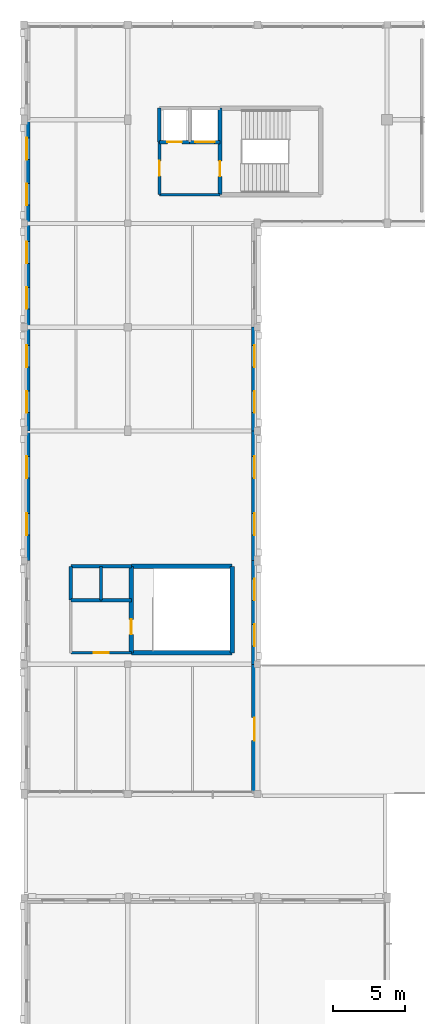
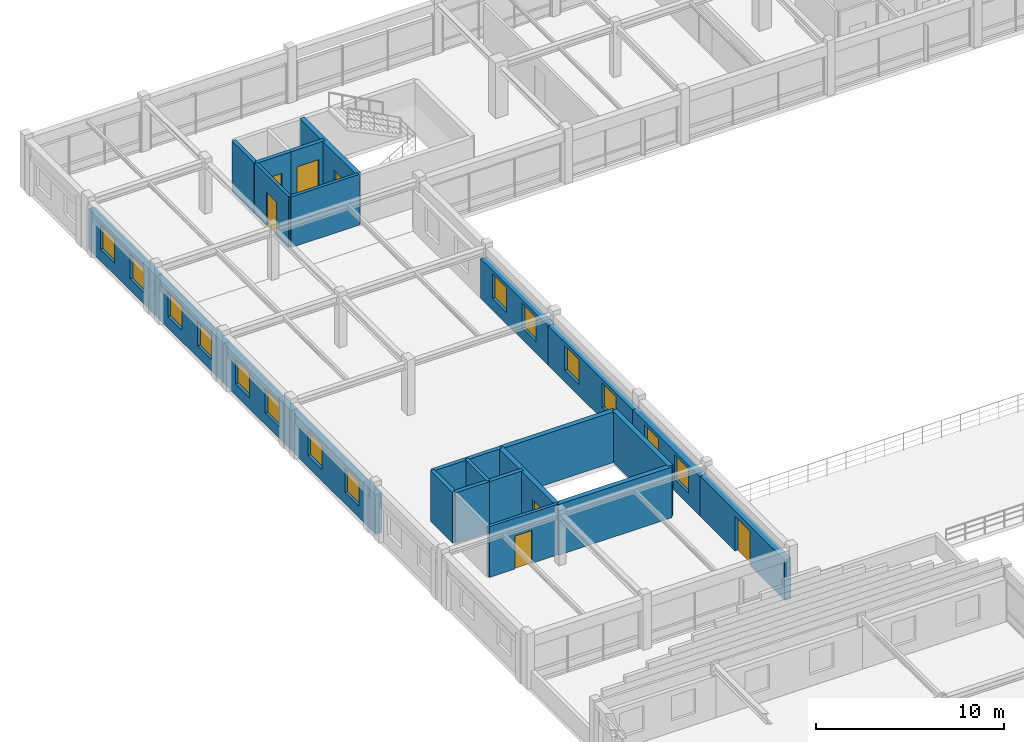
# One storey, part 50 of 74: 24 walls, 14 windows, 7 doors, 21 openings.
"""IFC4 building model written with IfcOpenShell, lengths in metres."""

from ifc_helpers import new_model, si_unit, direction, frame, frame_2d, origin, place, context, subcontext, project, spatial, rectangle, extrude, material, layer, layer_set, type_object, element, fill, save


model = new_model("IFC4")

# Units and contexts
model_context = context("Model", 3, precision=1e-05, world=origin(), true_north=direction((0.0, 1.0)))
body_context = subcontext(model_context, "Body", "Model", "MODEL_VIEW")
ifc_project = project(units=[si_unit("LENGTHUNIT", "METRE"), si_unit("AREAUNIT", "SQUARE_METRE"), si_unit("VOLUMEUNIT", "CUBIC_METRE"), si_unit("PLANEANGLEUNIT", "RADIAN"), si_unit("MASSUNIT", "GRAM", prefix="KILO")], contexts=[model_context])

# Site, building, storey
site_placement = place(None, origin())
site = spatial("IfcSite", under=ifc_project, at=site_placement, CompositionType="ELEMENT")
building_placement = place(site_placement, origin())
building = spatial("IfcBuilding", under=site, at=building_placement, Name="Clarverna Civic Hall", CompositionType="ELEMENT")
storey_placement = place(building_placement, frame((0.0, 0.0, 13.199951171875)))
storey = spatial("IfcBuildingStorey", under=building, at=storey_placement, Name="L03", CompositionType="ELEMENT", Elevation=13.199951171875)

# Wall, openings, windows
ifc_material_1 = material(Name="Montjuic Limestone Ashlar Cladding", Category="masonry")
ifc_layer_1 = layer(ifc_material_1, 0.39990234375)
ifc_layer_set_1 = layer_set([ifc_layer_1], Name="Montjuic Limestone Ashlar Cladding")
wall_type_1 = type_object("IfcWallType", Name="EW-02", PredefinedType="SOLIDWALL", material=ifc_layer_set_1)
wall_1_placement = place(storey_placement, frame((16.0, 95.0, 0.0), z_axis=(0.0, 0.0, 1.0), x_axis=(0.0, -1.0, 0.0)))
wall_1 = element("IfcWall", 1, at=wall_1_placement, inside=storey, type_object=wall_type_1, Name="EW-02-181", PredefinedType="SOLIDWALL", context=body_context, shape_type="SweptSolid", body=[
    extrude(rectangle(XDim=7.199951171875, YDim=0.39990234375, at=frame_2d((3.60009765625, 0.0))), origin(), (0.0, 0.0, 1.0), 2.580078125),
])
opening_1_placement = place(wall_1_placement, frame((1.26611328125, 0.0, 0.75)))
opening_1 = element("IfcOpeningElement", 2, at=opening_1_placement, cuts=wall_1, Name="Opening WN-14", PredefinedType="OPENING", context=body_context, shape_type="SweptSolid", body=[
    extrude(rectangle(XDim=1.5, YDim=1.60009765625, at=frame_2d((0.75, 0.800048828125))), frame((0.0, 0.2099609375, 0.0), z_axis=(0.0, -1.0, 0.0), x_axis=(1.0, 0.0, 0.0)), (0.0, 0.0, 1.0), 0.419921875),
])
opening_2_placement = place(wall_1_placement, frame((4.43408203125, 0.0, 0.75)))
opening_2 = element("IfcOpeningElement", 3, at=opening_2_placement, cuts=wall_1, Name="Opening WN-14", PredefinedType="OPENING", context=body_context, shape_type="SweptSolid", body=[
    extrude(rectangle(XDim=1.5, YDim=1.60009765625, at=frame_2d((0.75, 0.800048828125))), frame((0.0, 0.2099609375, 0.0), z_axis=(0.0, -1.0, 0.0), x_axis=(1.0, 0.0, 0.0)), (0.0, 0.0, 1.0), 0.419921875),
])
ifc_material_2 = material(Name="Solar-Control Argon Low-E Double Glazing", Category="glass")
window_type = type_object("IfcWindowType", Name="WN-14", PartitioningType="DOUBLE_PANEL_HORIZONTAL", PredefinedType="WINDOW", material=ifc_material_2)
window_1_placement = place(opening_1_placement, origin())
window_1 = element("IfcWindow", 4, at=window_1_placement, inside=storey, type_object=window_type, Name="WN-14-162", OverallHeight=1.60009765625, OverallWidth=1.5, PartitioningType="DOUBLE_PANEL_HORIZONTAL", PredefinedType="WINDOW", context=body_context, shape_type="SweptSolid", body=[
    extrude(rectangle(XDim=1.5, YDim=1.60009765625, at=frame_2d((0.75, 0.800048828125))), frame((0.0, 0.030029296875, 0.0), z_axis=(0.0, -1.0, 0.0), x_axis=(1.0, 0.0, 0.0)), (0.0, 0.0, 1.0), 0.06005859375),
])
fill(opening_1, window_1)
window_2_placement = place(opening_2_placement, origin())
window_2 = element("IfcWindow", 5, at=window_2_placement, inside=storey, type_object=window_type, Name="WN-14-163", OverallHeight=1.60009765625, OverallWidth=1.5, PartitioningType="DOUBLE_PANEL_HORIZONTAL", PredefinedType="WINDOW", context=body_context, shape_type="SweptSolid", body=[
    extrude(rectangle(XDim=1.5, YDim=1.60009765625, at=frame_2d((0.75, 0.800048828125))), frame((0.0, 0.030029296875, 0.0), z_axis=(0.0, -1.0, 0.0), x_axis=(1.0, 0.0, 0.0)), (0.0, 0.0, 1.0), 0.06005859375),
])
fill(opening_2, window_2)

wall_2_placement = place(storey_placement, frame((16.0, 87.800048828125, 0.0), z_axis=(0.0, 0.0, 1.0), x_axis=(0.0, -1.0, 0.0)))
wall_2 = element("IfcWall", 6, at=wall_2_placement, inside=storey, type_object=wall_type_1, Name="EW-02-182", PredefinedType="SOLIDWALL", context=body_context, shape_type="SweptSolid", body=[
    extrude(rectangle(XDim=9.0, YDim=0.39990234375, at=frame_2d((4.5, 0.0))), origin(), (0.0, 0.0, 1.0), 2.580078125),
])
opening_3_placement = place(wall_2_placement, frame((1.77001953125, 0.0, 0.75)))
opening_3 = element("IfcOpeningElement", 7, at=opening_3_placement, cuts=wall_2, Name="Opening WN-14", PredefinedType="OPENING", context=body_context, shape_type="SweptSolid", body=[
    extrude(rectangle(XDim=1.5, YDim=1.60009765625, at=frame_2d((0.75, 0.800048828125))), frame((0.0, 0.2099609375, 0.0), z_axis=(0.0, -1.0, 0.0), x_axis=(1.0, 0.0, 0.0)), (0.0, 0.0, 1.0), 0.419921875),
])
opening_4_placement = place(wall_2_placement, frame((5.72998046875, 0.0, 0.75)))
opening_4 = element("IfcOpeningElement", 8, at=opening_4_placement, cuts=wall_2, Name="Opening WN-14", PredefinedType="OPENING", context=body_context, shape_type="SweptSolid", body=[
    extrude(rectangle(XDim=1.5, YDim=1.60009765625, at=frame_2d((0.75, 0.800048828125))), frame((0.0, 0.2099609375, 0.0), z_axis=(0.0, -1.0, 0.0), x_axis=(1.0, 0.0, 0.0)), (0.0, 0.0, 1.0), 0.419921875),
])
window_3_placement = place(opening_3_placement, origin())
window_3 = element("IfcWindow", 9, at=window_3_placement, inside=storey, type_object=window_type, Name="WN-14-164", OverallHeight=1.60009765625, OverallWidth=1.5, PartitioningType="DOUBLE_PANEL_HORIZONTAL", PredefinedType="WINDOW", context=body_context, shape_type="SweptSolid", body=[
    extrude(rectangle(XDim=1.5, YDim=1.60009765625, at=frame_2d((0.75, 0.800048828125))), frame((0.0, 0.030029296875, 0.0), z_axis=(0.0, -1.0, 0.0), x_axis=(1.0, 0.0, 0.0)), (0.0, 0.0, 1.0), 0.06005859375),
])
fill(opening_3, window_3)
window_4_placement = place(opening_4_placement, origin())
window_4 = element("IfcWindow", 10, at=window_4_placement, inside=storey, type_object=window_type, Name="WN-14-165", OverallHeight=1.60009765625, OverallWidth=1.5, PartitioningType="DOUBLE_PANEL_HORIZONTAL", PredefinedType="WINDOW", context=body_context, shape_type="SweptSolid", body=[
    extrude(rectangle(XDim=1.5, YDim=1.60009765625, at=frame_2d((0.75, 0.800048828125))), frame((0.0, 0.030029296875, 0.0), z_axis=(0.0, -1.0, 0.0), x_axis=(1.0, 0.0, 0.0)), (0.0, 0.0, 1.0), 0.06005859375),
])
fill(opening_4, window_4)

wall_3_placement = place(storey_placement, frame((16.0, 78.800048828125, 0.0), z_axis=(0.0, 0.0, 1.0), x_axis=(0.0, -1.0, 0.0)))
wall_3 = element("IfcWall", 11, at=wall_3_placement, inside=storey, type_object=wall_type_1, Name="EW-02-183", PredefinedType="SOLIDWALL", context=body_context, shape_type="SweptSolid", body=[
    extrude(rectangle(XDim=7.199951171875, YDim=0.39990234375, at=frame_2d((3.60009765625, 0.0))), origin(), (0.0, 0.0, 1.0), 2.580078125),
])
opening_5_placement = place(wall_3_placement, frame((1.26611328125, 0.0, 0.75)))
opening_5 = element("IfcOpeningElement", 12, at=opening_5_placement, cuts=wall_3, Name="Opening WN-14", PredefinedType="OPENING", context=body_context, shape_type="SweptSolid", body=[
    extrude(rectangle(XDim=1.5, YDim=1.60009765625, at=frame_2d((0.75, 0.800048828125))), frame((0.0, 0.2099609375, 0.0), z_axis=(0.0, -1.0, 0.0), x_axis=(1.0, 0.0, 0.0)), (0.0, 0.0, 1.0), 0.419921875),
])
opening_6_placement = place(wall_3_placement, frame((4.43408203125, 0.0, 0.75)))
opening_6 = element("IfcOpeningElement", 13, at=opening_6_placement, cuts=wall_3, Name="Opening WN-14", PredefinedType="OPENING", context=body_context, shape_type="SweptSolid", body=[
    extrude(rectangle(XDim=1.5, YDim=1.60009765625, at=frame_2d((0.75, 0.800048828125))), frame((0.0, 0.2099609375, 0.0), z_axis=(0.0, -1.0, 0.0), x_axis=(1.0, 0.0, 0.0)), (0.0, 0.0, 1.0), 0.419921875),
])
window_5_placement = place(opening_5_placement, origin())
window_5 = element("IfcWindow", 14, at=window_5_placement, inside=storey, type_object=window_type, Name="WN-14-166", OverallHeight=1.60009765625, OverallWidth=1.5, PartitioningType="DOUBLE_PANEL_HORIZONTAL", PredefinedType="WINDOW", context=body_context, shape_type="SweptSolid", body=[
    extrude(rectangle(XDim=1.5, YDim=1.60009765625, at=frame_2d((0.75, 0.800048828125))), frame((0.0, 0.030029296875, 0.0), z_axis=(0.0, -1.0, 0.0), x_axis=(1.0, 0.0, 0.0)), (0.0, 0.0, 1.0), 0.06005859375),
])
fill(opening_5, window_5)
window_6_placement = place(opening_6_placement, origin())
window_6 = element("IfcWindow", 15, at=window_6_placement, inside=storey, type_object=window_type, Name="WN-14-167", OverallHeight=1.60009765625, OverallWidth=1.5, PartitioningType="DOUBLE_PANEL_HORIZONTAL", PredefinedType="WINDOW", context=body_context, shape_type="SweptSolid", body=[
    extrude(rectangle(XDim=1.5, YDim=1.60009765625, at=frame_2d((0.75, 0.800048828125))), frame((0.0, 0.030029296875, 0.0), z_axis=(0.0, -1.0, 0.0), x_axis=(1.0, 0.0, 0.0)), (0.0, 0.0, 1.0), 0.06005859375),
])
fill(opening_6, window_6)

# Wall, opening, door
wall_4_placement = place(storey_placement, frame((16.0, 71.60009765625, 0.0), z_axis=(0.0, 0.0, 1.0), x_axis=(0.0, -1.0, 0.0)))
wall_4 = element("IfcWall", 16, at=wall_4_placement, inside=storey, type_object=wall_type_1, Name="EW-02-184", PredefinedType="SOLIDWALL", context=body_context, shape_type="SweptSolid", body=[
    extrude(rectangle(XDim=9.0, YDim=0.39990234375, at=frame_2d((4.5, 0.0))), origin(), (0.0, 0.0, 1.0), 2.6201171875),
])
opening_7_placement = place(wall_4_placement, frame((3.699951171875, 0.0, 0.0)))
opening_7 = element("IfcOpeningElement", 17, at=opening_7_placement, cuts=wall_4, Name="Opening ED-04", PredefinedType="OPENING", context=body_context, shape_type="SweptSolid", body=[
    extrude(rectangle(XDim=1.60009765625, YDim=2.25, at=frame_2d((0.800048828125, 1.125))), frame((0.0, 0.2099609375, 0.0), z_axis=(0.0, -1.0, 0.0), x_axis=(1.0, 0.0, 0.0)), (0.0, 0.0, 1.0), 0.419921875),
])
ifc_material_3 = material(Name="Anodised Bronze Glazed Door")
door_type_1 = type_object("IfcDoorType", Name="ED-04", OperationType="DOUBLE_DOOR_SINGLE_SWING", PredefinedType="DOOR", material=ifc_material_3)
door_1_placement = place(opening_7_placement, origin())
door_1 = element("IfcDoor", 18, at=door_1_placement, inside=storey, type_object=door_type_1, Name="ED-04-035", OperationType="DOUBLE_DOOR_SINGLE_SWING", OverallHeight=2.25, OverallWidth=1.60009765625, PredefinedType="DOOR", context=body_context, shape_type="SweptSolid", body=[
    extrude(rectangle(XDim=1.60009765625, YDim=2.25, at=frame_2d((0.800048828125, 1.125))), frame((0.0, 0.02490234375, 0.0), z_axis=(0.0, -1.0, 0.0), x_axis=(1.0, 0.0, 0.0)), (0.0, 0.0, 1.0), 0.050048828125),
])
fill(opening_7, door_1)

# Wall, openings, windows
wall_5_placement = place(storey_placement, frame((0.199951171875, 78.800048828125, 0.0), z_axis=(0.0, 0.0, 1.0), x_axis=(0.0, 1.0, 0.0)))
wall_5 = element("IfcWall", 19, at=wall_5_placement, inside=storey, type_object=wall_type_1, Name="EW-02-187", PredefinedType="SOLIDWALL", context=body_context, shape_type="SweptSolid", body=[
    extrude(rectangle(XDim=9.0, YDim=0.39990234375, at=frame_2d((4.5, 0.0))), origin(), (0.0, 0.0, 1.0), 2.580078125),
])
opening_8_placement = place(wall_5_placement, frame((1.77001953125, 0.0, 0.75)))
opening_8 = element("IfcOpeningElement", 20, at=opening_8_placement, cuts=wall_5, Name="Opening WN-14", PredefinedType="OPENING", context=body_context, shape_type="SweptSolid", body=[
    extrude(rectangle(XDim=1.5, YDim=1.60009765625, at=frame_2d((0.75, 0.800048828125))), frame((0.0, 0.2099609375, 0.0), z_axis=(0.0, -1.0, 0.0), x_axis=(1.0, 0.0, 0.0)), (0.0, 0.0, 1.0), 0.419921875),
])
opening_9_placement = place(wall_5_placement, frame((5.72998046875, 0.0, 0.75)))
opening_9 = element("IfcOpeningElement", 21, at=opening_9_placement, cuts=wall_5, Name="Opening WN-14", PredefinedType="OPENING", context=body_context, shape_type="SweptSolid", body=[
    extrude(rectangle(XDim=1.5, YDim=1.60009765625, at=frame_2d((0.75, 0.800048828125))), frame((0.0, 0.2099609375, 0.0), z_axis=(0.0, -1.0, 0.0), x_axis=(1.0, 0.0, 0.0)), (0.0, 0.0, 1.0), 0.419921875),
])
window_7_placement = place(opening_8_placement, origin())
window_7 = element("IfcWindow", 22, at=window_7_placement, inside=storey, type_object=window_type, Name="WN-14-172", OverallHeight=1.60009765625, OverallWidth=1.5, PartitioningType="DOUBLE_PANEL_HORIZONTAL", PredefinedType="WINDOW", context=body_context, shape_type="SweptSolid", body=[
    extrude(rectangle(XDim=1.5, YDim=1.60009765625, at=frame_2d((0.75, 0.800048828125))), frame((0.0, 0.030029296875, 0.0), z_axis=(0.0, -1.0, 0.0), x_axis=(1.0, 0.0, 0.0)), (0.0, 0.0, 1.0), 0.06005859375),
])
fill(opening_8, window_7)
window_8_placement = place(opening_9_placement, origin())
window_8 = element("IfcWindow", 23, at=window_8_placement, inside=storey, type_object=window_type, Name="WN-14-173", OverallHeight=1.60009765625, OverallWidth=1.5, PartitioningType="DOUBLE_PANEL_HORIZONTAL", PredefinedType="WINDOW", context=body_context, shape_type="SweptSolid", body=[
    extrude(rectangle(XDim=1.5, YDim=1.60009765625, at=frame_2d((0.75, 0.800048828125))), frame((0.0, 0.030029296875, 0.0), z_axis=(0.0, -1.0, 0.0), x_axis=(1.0, 0.0, 0.0)), (0.0, 0.0, 1.0), 0.06005859375),
])
fill(opening_9, window_8)

wall_6_placement = place(storey_placement, frame((0.199951171875, 87.800048828125, 0.0), z_axis=(0.0, 0.0, 1.0), x_axis=(0.0, 1.0, 0.0)))
wall_6 = element("IfcWall", 24, at=wall_6_placement, inside=storey, type_object=wall_type_1, Name="EW-02-188", PredefinedType="SOLIDWALL", context=body_context, shape_type="SweptSolid", body=[
    extrude(rectangle(XDim=7.199951171875, YDim=0.39990234375, at=frame_2d((3.60009765625, 0.0))), origin(), (0.0, 0.0, 1.0), 2.580078125),
])
opening_10_placement = place(wall_6_placement, frame((1.26611328125, 0.0, 0.75)))
opening_10 = element("IfcOpeningElement", 25, at=opening_10_placement, cuts=wall_6, Name="Opening WN-14", PredefinedType="OPENING", context=body_context, shape_type="SweptSolid", body=[
    extrude(rectangle(XDim=1.5, YDim=1.60009765625, at=frame_2d((0.75, 0.800048828125))), frame((0.0, 0.2099609375, 0.0), z_axis=(0.0, -1.0, 0.0), x_axis=(1.0, 0.0, 0.0)), (0.0, 0.0, 1.0), 0.419921875),
])
opening_11_placement = place(wall_6_placement, frame((4.43408203125, 0.0, 0.75)))
opening_11 = element("IfcOpeningElement", 26, at=opening_11_placement, cuts=wall_6, Name="Opening WN-14", PredefinedType="OPENING", context=body_context, shape_type="SweptSolid", body=[
    extrude(rectangle(XDim=1.5, YDim=1.60009765625, at=frame_2d((0.75, 0.800048828125))), frame((0.0, 0.2099609375, 0.0), z_axis=(0.0, -1.0, 0.0), x_axis=(1.0, 0.0, 0.0)), (0.0, 0.0, 1.0), 0.419921875),
])
window_9_placement = place(opening_10_placement, origin())
window_9 = element("IfcWindow", 27, at=window_9_placement, inside=storey, type_object=window_type, Name="WN-14-174", OverallHeight=1.60009765625, OverallWidth=1.5, PartitioningType="DOUBLE_PANEL_HORIZONTAL", PredefinedType="WINDOW", context=body_context, shape_type="SweptSolid", body=[
    extrude(rectangle(XDim=1.5, YDim=1.60009765625, at=frame_2d((0.75, 0.800048828125))), frame((0.0, 0.030029296875, 0.0), z_axis=(0.0, -1.0, 0.0), x_axis=(1.0, 0.0, 0.0)), (0.0, 0.0, 1.0), 0.06005859375),
])
fill(opening_10, window_9)
window_10_placement = place(opening_11_placement, origin())
window_10 = element("IfcWindow", 28, at=window_10_placement, inside=storey, type_object=window_type, Name="WN-14-175", OverallHeight=1.60009765625, OverallWidth=1.5, PartitioningType="DOUBLE_PANEL_HORIZONTAL", PredefinedType="WINDOW", context=body_context, shape_type="SweptSolid", body=[
    extrude(rectangle(XDim=1.5, YDim=1.60009765625, at=frame_2d((0.75, 0.800048828125))), frame((0.0, 0.030029296875, 0.0), z_axis=(0.0, -1.0, 0.0), x_axis=(1.0, 0.0, 0.0)), (0.0, 0.0, 1.0), 0.06005859375),
])
fill(opening_11, window_10)

wall_7_placement = place(storey_placement, frame((0.199951171875, 95.0, 0.0), z_axis=(0.0, 0.0, 1.0), x_axis=(0.0, 1.0, 0.0)))
wall_7 = element("IfcWall", 29, at=wall_7_placement, inside=storey, type_object=wall_type_1, Name="EW-02-189", PredefinedType="SOLIDWALL", context=body_context, shape_type="SweptSolid", body=[
    extrude(rectangle(XDim=7.199951171875, YDim=0.39990234375, at=frame_2d((3.60009765625, 0.0))), origin(), (0.0, 0.0, 1.0), 2.580078125),
])
opening_12_placement = place(wall_7_placement, frame((1.26611328125, 0.0, 0.75)))
opening_12 = element("IfcOpeningElement", 30, at=opening_12_placement, cuts=wall_7, Name="Opening WN-14", PredefinedType="OPENING", context=body_context, shape_type="SweptSolid", body=[
    extrude(rectangle(XDim=1.5, YDim=1.60009765625, at=frame_2d((0.75, 0.800048828125))), frame((0.0, 0.2099609375, 0.0), z_axis=(0.0, -1.0, 0.0), x_axis=(1.0, 0.0, 0.0)), (0.0, 0.0, 1.0), 0.419921875),
])
opening_13_placement = place(wall_7_placement, frame((4.43408203125, 0.0, 0.75)))
opening_13 = element("IfcOpeningElement", 31, at=opening_13_placement, cuts=wall_7, Name="Opening WN-14", PredefinedType="OPENING", context=body_context, shape_type="SweptSolid", body=[
    extrude(rectangle(XDim=1.5, YDim=1.60009765625, at=frame_2d((0.75, 0.800048828125))), frame((0.0, 0.2099609375, 0.0), z_axis=(0.0, -1.0, 0.0), x_axis=(1.0, 0.0, 0.0)), (0.0, 0.0, 1.0), 0.419921875),
])
window_11_placement = place(opening_12_placement, origin())
window_11 = element("IfcWindow", 32, at=window_11_placement, inside=storey, type_object=window_type, Name="WN-14-176", OverallHeight=1.60009765625, OverallWidth=1.5, PartitioningType="DOUBLE_PANEL_HORIZONTAL", PredefinedType="WINDOW", context=body_context, shape_type="SweptSolid", body=[
    extrude(rectangle(XDim=1.5, YDim=1.60009765625, at=frame_2d((0.75, 0.800048828125))), frame((0.0, 0.030029296875, 0.0), z_axis=(0.0, -1.0, 0.0), x_axis=(1.0, 0.0, 0.0)), (0.0, 0.0, 1.0), 0.06005859375),
])
fill(opening_12, window_11)
window_12_placement = place(opening_13_placement, origin())
window_12 = element("IfcWindow", 33, at=window_12_placement, inside=storey, type_object=window_type, Name="WN-14-177", OverallHeight=1.60009765625, OverallWidth=1.5, PartitioningType="DOUBLE_PANEL_HORIZONTAL", PredefinedType="WINDOW", context=body_context, shape_type="SweptSolid", body=[
    extrude(rectangle(XDim=1.5, YDim=1.60009765625, at=frame_2d((0.75, 0.800048828125))), frame((0.0, 0.030029296875, 0.0), z_axis=(0.0, -1.0, 0.0), x_axis=(1.0, 0.0, 0.0)), (0.0, 0.0, 1.0), 0.06005859375),
])
fill(opening_13, window_12)

wall_8_placement = place(storey_placement, frame((0.199951171875, 102.199951171875, 0.0), z_axis=(0.0, 0.0, 1.0), x_axis=(0.0, 1.0, 0.0)))
wall_8 = element("IfcWall", 34, at=wall_8_placement, inside=storey, type_object=wall_type_1, Name="EW-02-190", PredefinedType="SOLIDWALL", context=body_context, shape_type="SweptSolid", body=[
    extrude(rectangle(XDim=7.199951171875, YDim=0.39990234375, at=frame_2d((3.60009765625, 0.0))), origin(), (0.0, 0.0, 1.0), 2.6201171875),
])
opening_14_placement = place(wall_8_placement, frame((1.26611328125, 0.0, 0.75)))
opening_14 = element("IfcOpeningElement", 35, at=opening_14_placement, cuts=wall_8, Name="Opening WN-14", PredefinedType="OPENING", context=body_context, shape_type="SweptSolid", body=[
    extrude(rectangle(XDim=1.5, YDim=1.60009765625, at=frame_2d((0.75, 0.800048828125))), frame((0.0, 0.2099609375, 0.0), z_axis=(0.0, -1.0, 0.0), x_axis=(1.0, 0.0, 0.0)), (0.0, 0.0, 1.0), 0.419921875),
])
opening_15_placement = place(wall_8_placement, frame((4.43408203125, 0.0, 0.75)))
opening_15 = element("IfcOpeningElement", 36, at=opening_15_placement, cuts=wall_8, Name="Opening WN-14", PredefinedType="OPENING", context=body_context, shape_type="SweptSolid", body=[
    extrude(rectangle(XDim=1.5, YDim=1.60009765625, at=frame_2d((0.75, 0.800048828125))), frame((0.0, 0.2099609375, 0.0), z_axis=(0.0, -1.0, 0.0), x_axis=(1.0, 0.0, 0.0)), (0.0, 0.0, 1.0), 0.419921875),
])
window_13_placement = place(opening_14_placement, origin())
window_13 = element("IfcWindow", 37, at=window_13_placement, inside=storey, type_object=window_type, Name="WN-14-178", OverallHeight=1.60009765625, OverallWidth=1.5, PartitioningType="DOUBLE_PANEL_HORIZONTAL", PredefinedType="WINDOW", context=body_context, shape_type="SweptSolid", body=[
    extrude(rectangle(XDim=1.5, YDim=1.60009765625, at=frame_2d((0.75, 0.800048828125))), frame((0.0, 0.030029296875, 0.0), z_axis=(0.0, -1.0, 0.0), x_axis=(1.0, 0.0, 0.0)), (0.0, 0.0, 1.0), 0.06005859375),
])
fill(opening_14, window_13)
window_14_placement = place(opening_15_placement, origin())
window_14 = element("IfcWindow", 38, at=window_14_placement, inside=storey, type_object=window_type, Name="WN-14-179", OverallHeight=1.60009765625, OverallWidth=1.5, PartitioningType="DOUBLE_PANEL_HORIZONTAL", PredefinedType="WINDOW", context=body_context, shape_type="SweptSolid", body=[
    extrude(rectangle(XDim=1.5, YDim=1.60009765625, at=frame_2d((0.75, 0.800048828125))), frame((0.0, 0.030029296875, 0.0), z_axis=(0.0, -1.0, 0.0), x_axis=(1.0, 0.0, 0.0)), (0.0, 0.0, 1.0), 0.06005859375),
])
fill(opening_15, window_14)

# Wall, opening, door
ifc_material_4 = material(Name="Acoustic Gypsum Plasterboard on Twin Frame", Category="gypsum")
ifc_layer_2 = layer(ifc_material_4, 0.18994140625)
ifc_layer_set_2 = layer_set([ifc_layer_2], Name="Acoustic Gypsum Plasterboard on Twin Frame")
wall_type_2 = type_object("IfcWallType", Name="PW-06", PredefinedType="PARTITIONING", material=ifc_layer_set_2)
wall_9_placement = place(storey_placement, frame((9.39990234375, 104.199951171875, 0.0), z_axis=(0.0, 0.0, 1.0), x_axis=(0.0, 1.0, 0.0)))
wall_9 = element("IfcWall", 39, at=wall_9_placement, inside=storey, type_object=wall_type_2, Name="PW-06-065", PredefinedType="PARTITIONING", context=body_context, shape_type="SweptSolid", body=[
    extrude(rectangle(XDim=3.650146484375, YDim=0.18994140625, at=frame_2d((1.8251953125, 0.0))), origin(), (0.0, 0.0, 1.0), 3.300048828125),
])
opening_16_placement = place(wall_9_placement, frame((1.300048828125, 0.0, 0.0)))
opening_16 = element("IfcOpeningElement", 40, at=opening_16_placement, cuts=wall_9, Name="Opening FD-02", PredefinedType="OPENING", context=body_context, shape_type="SweptSolid", body=[
    extrude(rectangle(XDim=1.050048828125, YDim=2.14990234375, at=frame_2d((0.52490234375, 1.074951171875))), frame((0.0, 0.10498046875, 0.0), z_axis=(0.0, -1.0, 0.0), x_axis=(1.0, 0.0, 0.0)), (0.0, 0.0, 1.0), 0.2099609375),
])
ifc_material_5 = material(Name="Acoustic Timber-Faced Fire Door", Category="wood")
door_type_2 = type_object("IfcDoorType", Name="FD-02", OperationType="NOTDEFINED", PredefinedType="DOOR", material=ifc_material_5)
door_2_placement = place(opening_16_placement, origin())
door_2 = element("IfcDoor", 41, at=door_2_placement, inside=storey, type_object=door_type_2, Name="FD-02-061", OperationType="SINGLE_SWING_RIGHT", OverallHeight=2.14990234375, OverallWidth=1.050048828125, PredefinedType="DOOR", context=body_context, shape_type="SweptSolid", body=[
    extrude(rectangle(XDim=1.050048828125, YDim=2.14990234375, at=frame_2d((0.52490234375, 1.074951171875))), frame((0.0, 0.02490234375, 0.0), z_axis=(0.0, -1.0, 0.0), x_axis=(1.0, 0.0, 0.0)), (0.0, 0.0, 1.0), 0.050048828125),
])
fill(opening_16, door_2)

# Wall
wall_10_placement = place(storey_placement, frame((9.39990234375, 104.199951171875, 0.0), z_axis=(0.0, 0.0, 1.0), x_axis=(1.0, 0.0, 0.0)))
element("IfcWall", 42, at=wall_10_placement, inside=storey, type_object=wall_type_2, Name="PW-06-066", PredefinedType="PARTITIONING", context=body_context, shape_type="SweptSolid", body=[
    extrude(rectangle(XDim=4.2001953125, YDim=0.18994140625, at=frame_2d((2.10009765625, 0.0))), origin(), (0.0, 0.0, 1.0), 3.300048828125),
])

# Wall, opening, door
wall_11_placement = place(storey_placement, frame((3.25, 72.39990234375, 0.0), z_axis=(0.0, 0.0, 1.0), x_axis=(1.0, 0.0, 0.0)))
wall_11 = element("IfcWall", 43, at=wall_11_placement, inside=storey, type_object=wall_type_2, Name="PW-06-124", PredefinedType="PARTITIONING", context=body_context, shape_type="SweptSolid", body=[
    extrude(rectangle(XDim=4.199951171875, YDim=0.18994140625, at=frame_2d((2.10009765625, 0.0))), origin(), (0.0, 0.0, 1.0), 3.300048828125),
])
opening_17_placement = place(wall_11_placement, frame((1.574951171875, 0.0, 0.0)))
opening_17 = element("IfcOpeningElement", 44, at=opening_17_placement, cuts=wall_11, Name="Opening FD-02", PredefinedType="OPENING", context=body_context, shape_type="SweptSolid", body=[
    extrude(rectangle(XDim=1.050048828125, YDim=2.14990234375, at=frame_2d((0.52490234375, 1.074951171875))), frame((0.0, 0.10498046875, 0.0), z_axis=(0.0, -1.0, 0.0), x_axis=(1.0, 0.0, 0.0)), (0.0, 0.0, 1.0), 0.2099609375),
])
door_3_placement = place(opening_17_placement, origin())
door_3 = element("IfcDoor", 45, at=door_3_placement, inside=storey, type_object=door_type_2, Name="FD-02-114", OperationType="SINGLE_SWING_RIGHT", OverallHeight=2.14990234375, OverallWidth=1.050048828125, PredefinedType="DOOR", context=body_context, shape_type="SweptSolid", body=[
    extrude(rectangle(XDim=1.050048828125, YDim=2.14990234375, at=frame_2d((0.52490234375, 1.074951171875))), frame((0.0, 0.02490234375, 0.0), z_axis=(0.0, -1.0, 0.0), x_axis=(1.0, 0.0, 0.0)), (0.0, 0.0, 1.0), 0.050048828125),
])
fill(opening_17, door_3)

ifc_material_6 = material(Name="Concrete C35/45", Category="concrete")
ifc_layer_3 = layer(ifc_material_6, 0.300048828125)
ifc_layer_set_3 = layer_set([ifc_layer_3], Name="Concrete C35/45")
wall_type_3 = type_object("IfcWallType", Name="SW-03", PredefinedType="SHEAR", material=ifc_layer_set_3)
wall_12_placement = place(storey_placement, frame((13.60009765625, 104.199951171875, 0.0), z_axis=(0.0, 0.0, 1.0), x_axis=(0.0, 1.0, 0.0)))
wall_12 = element("IfcWall", 46, at=wall_12_placement, inside=storey, type_object=wall_type_3, Name="SW-03-037", PredefinedType="SHEAR", context=body_context, shape_type="SweptSolid", body=[
    extrude(rectangle(XDim=6.0, YDim=0.300048828125, at=frame_2d((3.0, 0.0))), origin(), (0.0, 0.0, 1.0), 3.300048828125),
])
opening_18_placement = place(wall_12_placement, frame((1.27490234375, 0.0, 0.0)))
opening_18 = element("IfcOpeningElement", 47, at=opening_18_placement, cuts=wall_12, Name="Opening FD-02", PredefinedType="OPENING", context=body_context, shape_type="SweptSolid", body=[
    extrude(rectangle(XDim=1.050048828125, YDim=2.14990234375, at=frame_2d((0.52490234375, 1.074951171875))), frame((0.0, 0.159912109375, 0.0), z_axis=(0.0, -1.0, 0.0), x_axis=(1.0, 0.0, 0.0)), (0.0, 0.0, 1.0), 0.320068359375),
])
door_4_placement = place(opening_18_placement, origin())
door_4 = element("IfcDoor", 48, at=door_4_placement, inside=storey, type_object=door_type_2, Name="FD-02-060", OperationType="SINGLE_SWING_LEFT", OverallHeight=2.14990234375, OverallWidth=1.050048828125, PredefinedType="DOOR", context=body_context, shape_type="SweptSolid", body=[
    extrude(rectangle(XDim=1.050048828125, YDim=2.14990234375, at=frame_2d((0.52490234375, 1.074951171875))), frame((0.0, 0.02490234375, 0.0), z_axis=(0.0, -1.0, 0.0), x_axis=(1.0, 0.0, 0.0)), (0.0, 0.0, 1.0), 0.050048828125),
])
fill(opening_18, door_4)

# Wall
wall_13_placement = place(storey_placement, frame((9.39990234375, 107.85009765625, 0.0), z_axis=(0.0, 0.0, 1.0), x_axis=(0.0, 1.0, 0.0)))
element("IfcWall", 49, at=wall_13_placement, inside=storey, type_object=wall_type_3, Name="SW-03-042", PredefinedType="SHEAR", context=body_context, shape_type="SweptSolid", body=[
    extrude(rectangle(XDim=2.349853515625, YDim=0.239990234375, at=frame_2d((1.1748046875, 0.0))), origin(), (0.0, 0.0, 1.0), 3.300048828125),
])

# Wall, opening, door
wall_14_placement = place(storey_placement, frame((9.39990234375, 107.85009765625, 0.0), z_axis=(0.0, 0.0, 1.0), x_axis=(1.0, 0.0, 0.0)))
wall_14 = element("IfcWall", 50, at=wall_14_placement, inside=storey, type_object=wall_type_3, Name="SW-03-044", PredefinedType="SHEAR", context=body_context, shape_type="SweptSolid", body=[
    extrude(rectangle(XDim=2.10009765625, YDim=0.239990234375, at=frame_2d((1.050048828125, 0.0))), origin(), (0.0, 0.0, 1.0), 3.300048828125),
])
opening_19_placement = place(wall_14_placement, frame((0.550048828125, 0.0, 0.0)))
opening_19 = element("IfcOpeningElement", 51, at=opening_19_placement, cuts=wall_14, Name="Opening LD-01", PredefinedType="OPENING", context=body_context, shape_type="SweptSolid", body=[
    extrude(rectangle(XDim=1.0, YDim=2.10009765625, at=frame_2d((0.5, 1.050048828125))), frame((0.0, 0.1298828125, 0.0), z_axis=(0.0, -1.0, 0.0), x_axis=(1.0, 0.0, 0.0)), (0.0, 0.0, 1.0), 0.260009765625),
])
ifc_material_7 = material(Name="Brushed Bronze Stainless Lift Landing Door")
door_type_3 = type_object("IfcDoorType", Name="LD-01", OperationType="SLIDING_TO_LEFT", PredefinedType="DOOR", material=ifc_material_7)
door_5_placement = place(opening_19_placement, origin())
door_5 = element("IfcDoor", 52, at=door_5_placement, inside=storey, type_object=door_type_3, Name="LD-01-057", OperationType="SLIDING_TO_LEFT", OverallHeight=2.10009765625, OverallWidth=1.0, PredefinedType="DOOR", context=body_context, shape_type="SweptSolid", body=[
    extrude(rectangle(XDim=1.0, YDim=2.10009765625, at=frame_2d((0.5, 1.050048828125))), frame((0.0, 0.02490234375, 0.0), z_axis=(0.0, -1.0, 0.0), x_axis=(1.0, 0.0, 0.0)), (0.0, 0.0, 1.0), 0.050048828125),
])
fill(opening_19, door_5)

wall_15_placement = place(storey_placement, frame((11.5, 107.85009765625, 0.0), z_axis=(0.0, 0.0, 1.0), x_axis=(1.0, 0.0, 0.0)))
wall_15 = element("IfcWall", 53, at=wall_15_placement, inside=storey, type_object=wall_type_3, Name="SW-03-045", PredefinedType="SHEAR", context=body_context, shape_type="SweptSolid", body=[
    extrude(rectangle(XDim=2.10009765625, YDim=0.239990234375, at=frame_2d((1.050048828125, 0.0))), origin(), (0.0, 0.0, 1.0), 3.300048828125),
])
opening_20_placement = place(wall_15_placement, frame((0.375, 0.0, 0.0)))
opening_20 = element("IfcOpeningElement", 54, at=opening_20_placement, cuts=wall_15, Name="Opening LD-02", PredefinedType="OPENING", context=body_context, shape_type="SweptSolid", body=[
    extrude(rectangle(XDim=1.35009765625, YDim=2.199951171875, at=frame_2d((0.675048828125, 1.10009765625))), frame((0.0, 0.1298828125, 0.0), z_axis=(0.0, -1.0, 0.0), x_axis=(1.0, 0.0, 0.0)), (0.0, 0.0, 1.0), 0.260009765625),
])
door_type_4 = type_object("IfcDoorType", Name="LD-02", OperationType="SLIDING_TO_RIGHT", PredefinedType="DOOR", material=ifc_material_7)
door_6_placement = place(opening_20_placement, origin())
door_6 = element("IfcDoor", 55, at=door_6_placement, inside=storey, type_object=door_type_4, Name="LD-02-005", OperationType="SLIDING_TO_RIGHT", OverallHeight=2.199951171875, OverallWidth=1.35009765625, PredefinedType="DOOR", context=body_context, shape_type="SweptSolid", body=[
    extrude(rectangle(XDim=1.35009765625, YDim=2.199951171875, at=frame_2d((0.675048828125, 1.10009765625))), frame((0.0, 0.02490234375, 0.0), z_axis=(0.0, -1.0, 0.0), x_axis=(1.0, 0.0, 0.0)), (0.0, 0.0, 1.0), 0.050048828125),
])
fill(opening_20, door_6)

wall_16_placement = place(storey_placement, frame((7.449951171875, 72.39990234375, 0.0), z_axis=(0.0, 0.0, 1.0), x_axis=(0.0, 1.0, 0.0)))
wall_16 = element("IfcWall", 56, at=wall_16_placement, inside=storey, type_object=wall_type_3, Name="SW-03-298", PredefinedType="SHEAR", context=body_context, shape_type="SweptSolid", body=[
    extrude(rectangle(XDim=6.0, YDim=0.300048828125, at=frame_2d((3.0, 0.0))), origin(), (0.0, 0.0, 1.0), 3.300048828125),
])
opening_21_placement = place(wall_16_placement, frame((1.27490234375, 0.0, 0.0)))
opening_21 = element("IfcOpeningElement", 57, at=opening_21_placement, cuts=wall_16, Name="Opening FD-02", PredefinedType="OPENING", context=body_context, shape_type="SweptSolid", body=[
    extrude(rectangle(XDim=1.050048828125, YDim=2.14990234375, at=frame_2d((0.52490234375, 1.074951171875))), frame((0.0, 0.159912109375, 0.0), z_axis=(0.0, -1.0, 0.0), x_axis=(1.0, 0.0, 0.0)), (0.0, 0.0, 1.0), 0.320068359375),
])
door_7_placement = place(opening_21_placement, origin())
door_7 = element("IfcDoor", 58, at=door_7_placement, inside=storey, type_object=door_type_2, Name="FD-02-113", OperationType="SINGLE_SWING_LEFT", OverallHeight=2.14990234375, OverallWidth=1.050048828125, PredefinedType="DOOR", context=body_context, shape_type="SweptSolid", body=[
    extrude(rectangle(XDim=1.050048828125, YDim=2.14990234375, at=frame_2d((0.52490234375, 1.074951171875))), frame((0.0, 0.02490234375, 0.0), z_axis=(0.0, -1.0, 0.0), x_axis=(1.0, 0.0, 0.0)), (0.0, 0.0, 1.0), 0.050048828125),
])
fill(opening_21, door_7)

# Walls
wall_17_placement = place(storey_placement, frame((14.449951171875, 72.39990234375, 0.0), z_axis=(0.0, 0.0, 1.0), x_axis=(0.0, 1.0, 0.0)))
element("IfcWall", 59, at=wall_17_placement, inside=storey, type_object=wall_type_3, Name="SW-03-299", PredefinedType="SHEAR", context=body_context, shape_type="SweptSolid", body=[
    extrude(rectangle(XDim=6.0, YDim=0.300048828125, at=frame_2d((3.0, 0.0))), origin(), (0.0, 0.0, 1.0), 3.300048828125),
])
for number, where, z_axis, x_axis, name in (
    (60, (7.449951171875, 72.39990234375, 0.0), (0.0, 0.0, 1.0), (1.0, 0.0, 0.0), "SW-03-300"),
    (61, (7.449951171875, 78.39990234375, 0.0), (0.0, 0.0, 1.0), (1.0, 0.0, 0.0), "SW-03-301"),
):
    element("IfcWall", number, at=place(storey_placement, frame(where, z_axis=z_axis, x_axis=x_axis)), inside=storey, type_object=wall_type_3, Name=name, PredefinedType="SHEAR", context=body_context, shape_type="SweptSolid", body=[
        extrude(rectangle(XDim=7.0, YDim=0.300048828125, at=frame_2d((3.5, 0.0))), origin(), (0.0, 0.0, 1.0), 3.300048828125),
    ])
wall_18_placement = place(storey_placement, frame((3.25, 78.39990234375, 0.0), z_axis=(0.0, 0.0, 1.0), x_axis=(1.0, 0.0, 0.0)))
element("IfcWall", 62, at=wall_18_placement, inside=storey, type_object=wall_type_3, Name="SW-03-302", PredefinedType="SHEAR", context=body_context, shape_type="SweptSolid", body=[
    extrude(rectangle(XDim=4.199951171875, YDim=0.239990234375, at=frame_2d((2.10009765625, 0.0))), origin(), (0.0, 0.0, 1.0), 3.300048828125),
])
wall_19_placement = place(storey_placement, frame((3.25, 76.050048828125, 0.0), z_axis=(0.0, 0.0, 1.0), x_axis=(0.0, 1.0, 0.0)))
element("IfcWall", 63, at=wall_19_placement, inside=storey, type_object=wall_type_3, Name="SW-03-303", PredefinedType="SHEAR", context=body_context, shape_type="SweptSolid", body=[
    extrude(rectangle(XDim=2.349853515625, YDim=0.239990234375, at=frame_2d((1.1748046875, 0.0))), origin(), (0.0, 0.0, 1.0), 3.300048828125),
])
wall_20_placement = place(storey_placement, frame((5.35009765625, 76.050048828125, 0.0), z_axis=(0.0, 0.0, 1.0), x_axis=(0.0, 1.0, 0.0)))
element("IfcWall", 64, at=wall_20_placement, inside=storey, type_object=wall_type_3, Name="SW-03-304", PredefinedType="SHEAR", context=body_context, shape_type="SweptSolid", body=[
    extrude(rectangle(XDim=2.349853515625, YDim=0.199951171875, at=frame_2d((1.1748046875, 0.0))), origin(), (0.0, 0.0, 1.0), 3.300048828125),
])
wall_21_placement = place(storey_placement, frame((3.25, 76.050048828125, 0.0), z_axis=(0.0, 0.0, 1.0), x_axis=(1.0, 0.0, 0.0)))
element("IfcWall", 65, at=wall_21_placement, inside=storey, type_object=wall_type_3, Name="SW-03-305", PredefinedType="SHEAR", context=body_context, shape_type="SweptSolid", body=[
    extrude(rectangle(XDim=2.10009765625, YDim=0.239990234375, at=frame_2d((1.050048828125, 0.0))), origin(), (0.0, 0.0, 1.0), 3.300048828125),
])
wall_22_placement = place(storey_placement, frame((5.35009765625, 76.050048828125, 0.0), z_axis=(0.0, 0.0, 1.0), x_axis=(1.0, 0.0, 0.0)))
element("IfcWall", 66, at=wall_22_placement, inside=storey, type_object=wall_type_3, Name="SW-03-306", PredefinedType="SHEAR", context=body_context, shape_type="SweptSolid", body=[
    extrude(rectangle(XDim=2.099853515625, YDim=0.239990234375, at=frame_2d((1.0498046875, 0.0))), origin(), (0.0, 0.0, 1.0), 3.300048828125),
])

save(model, "model.ifc")
